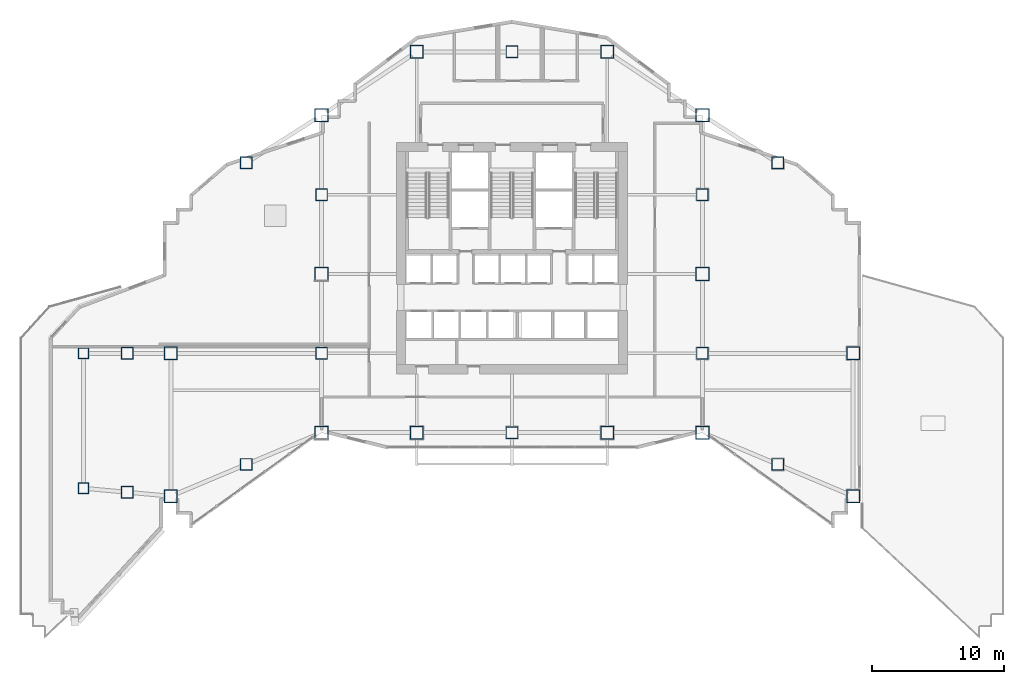
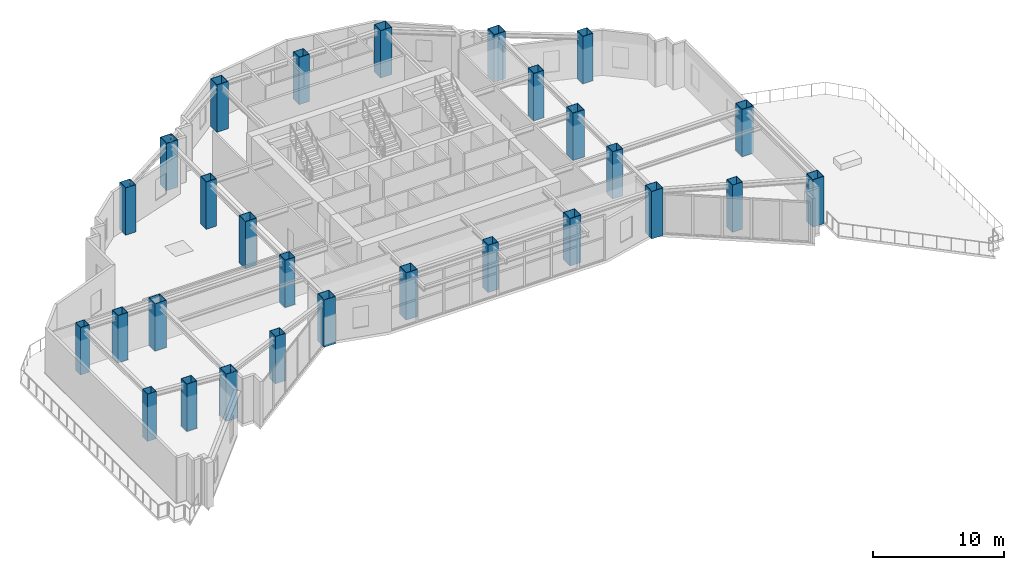
# One storey, part 1 of 19: 28 columns.
"""IFC4 building model written with IfcOpenShell, lengths in metres."""

from ifc_helpers import new_model, si_unit, direction, frame, origin, origin_2d, place, context, subcontext, project, spatial, hollow_rectangle, extrude, material, material_profile, profile_set, type_object, element, save


model = new_model("IFC4")

# Units and contexts
model_context = context("Model", 3, precision=1e-05, world=origin(), true_north=direction((0.0, 1.0)))
body_context = subcontext(model_context, "Body", "Model", "MODEL_VIEW")
ifc_project = project(units=[si_unit("LENGTHUNIT", "METRE"), si_unit("AREAUNIT", "SQUARE_METRE"), si_unit("VOLUMEUNIT", "CUBIC_METRE"), si_unit("PLANEANGLEUNIT", "RADIAN"), si_unit("MASSUNIT", "GRAM", prefix="KILO")], contexts=[model_context])

# Site, building, storey
site_placement = place(None, origin())
site = spatial("IfcSite", under=ifc_project, at=site_placement, CompositionType="ELEMENT")
building_placement = place(site_placement, origin())
building = spatial("IfcBuilding", under=site, at=building_placement, Name="Haolan Belvedere Tower", CompositionType="ELEMENT")
storey_placement = place(building_placement, frame((0.0, 0.0, 94.0)))
storey = spatial("IfcBuildingStorey", under=building, at=storey_placement, Name="L23", CompositionType="ELEMENT", Elevation=94.0)

# Columns
ifc_material_1 = material(Name="Steel Q420GJC", Category="steel")
ifc_material_profile_1 = material_profile(ifc_material_1, hollow_rectangle(XDim=1.0, YDim=1.0, WallThickness=0.0380859375, at=origin_2d()), Name="Steel Q420GJC")
ifc_profile_set_1 = profile_set([ifc_material_profile_1], Name="Steel Q420GJC")
column_type_1 = type_object("IfcColumnType", Name="COL-BOX1000x1000x38", PredefinedType="COLUMN", material=ifc_profile_set_1)
for number, where, z_axis, x_axis, name in (
    (1, (24.0, 21.60009765625, 0.0), (0.0, 0.0, 1.0), (1.0, 0.0, 0.0), "L23 column MC-T3-SW (BOX1000x1000x38)"),
    (2, (24.0, 33.60009765625, 0.0), (0.0, 0.0, 1.0), (1.0, 0.0, 0.0), "L23 column MC-T3-MW (BOX1000x1000x38)"),
    (3, (24.0, 45.60009765625, 0.0), (0.0, 0.0, 1.0), (1.0, 0.0, 0.0), "L23 column MC-T3-NW (BOX1000x1000x38)"),
    (4, (52.800048828125, 21.60009765625, 0.0), (0.0, 0.0, 1.0), (1.0, 0.0, 0.0), "L23 column MC-T3-SE (BOX1000x1000x38)"),
    (5, (52.800048828125, 33.60009765625, 0.0), (0.0, 0.0, 1.0), (1.0, 0.0, 0.0), "L23 column MC-T3-ME (BOX1000x1000x38)"),
    (6, (52.800048828125, 45.60009765625, 0.0), (0.0, 0.0, 1.0), (1.0, 0.0, 0.0), "L23 column MC-T3-NE (BOX1000x1000x38)"),
    (7, (31.199951171875, 21.60009765625, 0.0), (0.0, 0.0, 1.0), (1.0, 0.0, 0.0), "L23 column MC-T3-S1 (BOX1000x1000x38)"),
    (8, (45.60009765625, 21.60009765625, 0.0), (0.0, 0.0, 1.0), (1.0, 0.0, 0.0), "L23 column MC-T3-S2 (BOX1000x1000x38)"),
    (9, (31.199951171875, 50.39990234375, 0.0), (0.0, 0.0, 1.0), (1.0, 0.0, 0.0), "L23 column MC-T3-N1 (BOX1000x1000x38)"),
    (10, (45.60009765625, 50.39990234375, 0.0), (0.0, 0.0, 1.0), (1.0, 0.0, 0.0), "L23 column MC-T3-N2 (BOX1000x1000x38)"),
    (11, (12.60009765625, 16.800048828125, 0.0), (0.0, 0.0, 1.0), (1.0, 0.0, 0.0), "L23 column MC-T2-SW (BOX1000x1000x38)"),
    (12, (12.60009765625, 27.60009765625, 0.0), (0.0, 0.0, 1.0), (1.0, 0.0, 0.0), "L23 column MC-T2-MW (BOX1000x1000x38)"),
    (13, (64.199951171875, 16.800048828125, 0.0), (0.0, 0.0, 1.0), (1.0, 0.0, 0.0), "L23 column MC-T4-SE (BOX1000x1000x38)"),
    (14, (64.199951171875, 27.60009765625, 0.0), (0.0, 0.0, 1.0), (1.0, 0.0, 0.0), "L23 column MC-T4-ME (BOX1000x1000x38)"),
):
    element("IfcColumn", number, at=place(storey_placement, frame(where, z_axis=z_axis, x_axis=x_axis)), inside=storey, type_object=column_type_1, Name=name, PredefinedType="COLUMN", context=body_context, shape_type="SweptSolid", body=[
        extrude(hollow_rectangle(XDim=1.0, YDim=1.0, WallThickness=0.0380859375, at=origin_2d()), origin(), (0.0, 0.0, 1.0), 4.39990234375),
    ])
ifc_material_2 = material(Name="Steel Q390GJC", Category="steel")
ifc_material_profile_2 = material_profile(ifc_material_2, hollow_rectangle(XDim=0.800048828125, YDim=0.800048828125, WallThickness=0.030029296875, at=origin_2d()), Name="Steel Q390GJC")
ifc_profile_set_2 = profile_set([ifc_material_profile_2], Name="Steel Q390GJC")
column_type_2 = type_object("IfcColumnType", Name="COL-BOX800x800x30", PredefinedType="COLUMN", material=ifc_profile_set_2)
for number, where, z_axis, x_axis, name in (
    (15, (6.0, 17.39990234375, 0.0), (0.0, 0.0, 1.0), (1.0, 0.0, 0.0), "L23 column MC-T1-SW (BOX800x800x30)"),
    (16, (6.0, 27.60009765625, 0.0), (0.0, 0.0, 1.0), (1.0, 0.0, 0.0), "L23 column MC-T1-NW (BOX800x800x30)"),
):
    element("IfcColumn", number, at=place(storey_placement, frame(where, z_axis=z_axis, x_axis=x_axis)), inside=storey, type_object=column_type_2, Name=name, PredefinedType="COLUMN", context=body_context, shape_type="SweptSolid", body=[
        extrude(hollow_rectangle(XDim=0.800048828125, YDim=0.800048828125, WallThickness=0.030029296875, at=origin_2d()), origin(), (0.0, 0.0, 1.0), 4.39990234375),
    ])
ifc_material_profile_3 = material_profile(ifc_material_2, hollow_rectangle(XDim=0.89990234375, YDim=0.89990234375, WallThickness=0.033935546875, at=origin_2d()), Name="Steel Q390GJC")
ifc_profile_set_3 = profile_set([ifc_material_profile_3], Name="Steel Q390GJC")
column_type_3 = type_object("IfcColumnType", Name="COL-BOX900x900x34", PredefinedType="COLUMN", material=ifc_profile_set_3)
for number, where, z_axis, x_axis, name in (
    (17, (24.0, 27.60009765625, 0.0), (0.0, 0.0, 1.0), (1.0, 0.0, 0.0), "L23 column TC-T3-W1 (BOX900x900x34)"),
    (18, (24.0, 39.60009765625, 0.0), (0.0, 0.0, 1.0), (1.0, 0.0, 0.0), "L23 column TC-T3-W2 (BOX900x900x34)"),
    (19, (52.800048828125, 27.60009765625, 0.0), (0.0, 0.0, 1.0), (1.0, 0.0, 0.0), "L23 column TC-T3-E1 (BOX900x900x34)"),
    (20, (52.800048828125, 39.60009765625, 0.0), (0.0, 0.0, 1.0), (1.0, 0.0, 0.0), "L23 column TC-T3-E2 (BOX900x900x34)"),
    (21, (38.39990234375, 21.60009765625, 0.0), (0.0, 0.0, 1.0), (1.0, 0.0, 0.0), "L23 column TC-T3-SM (BOX900x900x34)"),
    (22, (38.39990234375, 50.39990234375, 0.0), (0.0, 0.0, 1.0), (1.0, 0.0, 0.0), "L23 column TC-T3-NM (BOX900x900x34)"),
    (23, (18.300048828125, 19.199951171875, 0.0), (0.0, 0.0, 1.0), (1.0, 0.0, 0.0), "L23 column TC-T2-S1 (BOX900x900x34)"),
    (24, (18.300048828125, 42.0, 0.0), (0.0, 0.0, 1.0), (1.0, 0.0, 0.0), "L23 column TC-T2-N1 (BOX900x900x34)"),
    (25, (58.5, 19.199951171875, 0.0), (0.0, 0.0, 1.0), (1.0, 0.0, 0.0), "L23 column TC-T4-S1 (BOX900x900x34)"),
    (26, (58.5, 42.0, 0.0), (0.0, 0.0, 1.0), (1.0, 0.0, 0.0), "L23 column TC-T4-N1 (BOX900x900x34)"),
    (27, (9.300048828125, 17.10009765625, 0.0), (0.0, 0.0, 1.0), (1.0, 0.0, 0.0), "L23 column TC-T1-M1 (BOX900x900x34)"),
    (28, (9.300048828125, 27.60009765625, 0.0), (0.0, 0.0, 1.0), (1.0, 0.0, 0.0), "L23 column TC-T1-M2 (BOX900x900x34)"),
):
    element("IfcColumn", number, at=place(storey_placement, frame(where, z_axis=z_axis, x_axis=x_axis)), inside=storey, type_object=column_type_3, Name=name, PredefinedType="COLUMN", context=body_context, shape_type="SweptSolid", body=[
        extrude(hollow_rectangle(XDim=0.89990234375, YDim=0.89990234375, WallThickness=0.033935546875, at=origin_2d()), origin(), (0.0, 0.0, 1.0), 4.39990234375),
    ])

save(model, "model.ifc")
